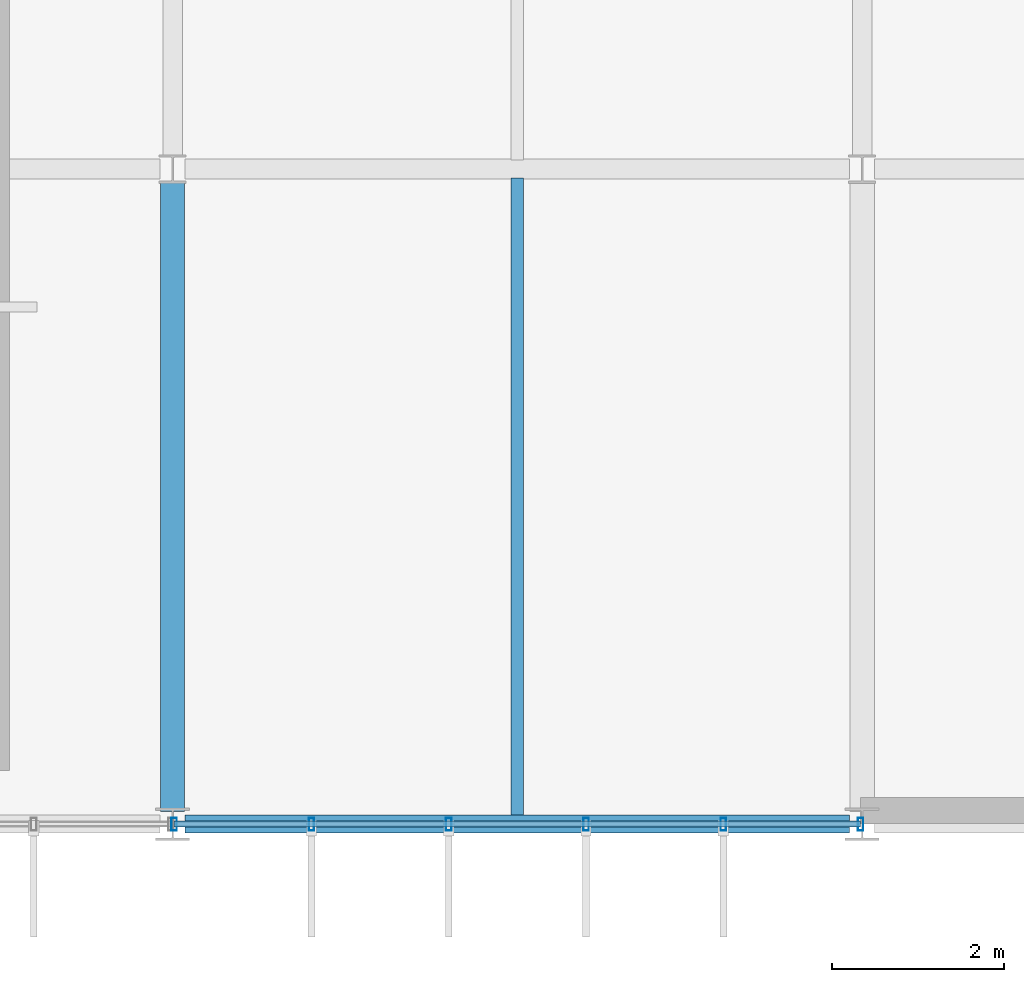
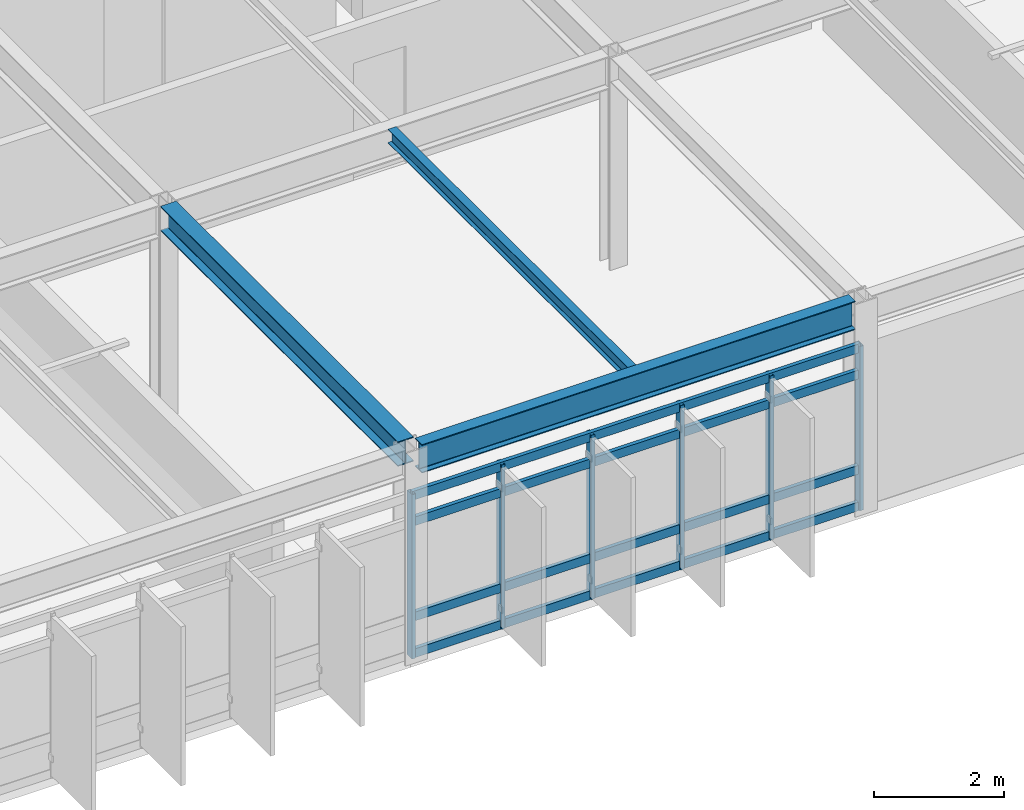
# One storey, part 27 of 85: 10 members, 3 beams, 1 element without a shape of its own.
"""IFC4 building model written with IfcOpenShell, lengths in metres."""

from ifc_helpers import new_model, si_unit, direction, frame, origin, origin_2d, place, context, subcontext, project, spatial, hollow_rectangle, i_section, extrude, material, material_profile, profile_set, type_object, element, aggregate, save


model = new_model("IFC4")

# Units and contexts
model_context = context("Model", 3, precision=1e-05, world=origin(), true_north=direction((0.0, 1.0)))
body_context = subcontext(model_context, "Body", "Model", "MODEL_VIEW")
ifc_project = project(units=[si_unit("LENGTHUNIT", "METRE"), si_unit("AREAUNIT", "SQUARE_METRE"), si_unit("VOLUMEUNIT", "CUBIC_METRE"), si_unit("PLANEANGLEUNIT", "RADIAN"), si_unit("MASSUNIT", "GRAM", prefix="KILO")], contexts=[model_context])

# Site, building, storey
site_placement = place(None, origin())
site = spatial("IfcSite", under=ifc_project, at=site_placement, CompositionType="ELEMENT")
building_placement = place(site_placement, origin())
building = spatial("IfcBuilding", under=site, at=building_placement, Name="Zulena Civic Courthouse", CompositionType="ELEMENT")
storey_placement = place(building_placement, frame((0.0, 0.0, 25.199951171875)))
storey = spatial("IfcBuildingStorey", under=building, at=storey_placement, Name="L05", CompositionType="ELEMENT", Elevation=25.199951171875)

# Curtain wall, members
ifc_material_1 = material(Name="Double-silver low-E laminated solar-control glass", Category="glass")
curtain_wall_type = type_object("IfcCurtainWallType", Name="CW_7964x3090", PredefinedType="USERDEFINED", material=ifc_material_1)
curtain_wall_placement = place(storey_placement, origin())
curtain_wall = element("IfcCurtainWall", 1, at=curtain_wall_placement, inside=storey, type_object=curtain_wall_type, Name="cw:V2:L05:3:3", ObjectType="UNITISED CURTAIN WALL", PredefinedType="USERDEFINED")
ifc_material_2 = material(Name="Bronze anodised thermally broken aluminium AA6063-T6", Category="aluminium")
ifc_material_profile_1 = material_profile(ifc_material_2, hollow_rectangle(XDim=0.06494140625, YDim=0.14990234375, WallThickness=0.00390625, at=origin_2d()), Name="CWM150X65X4")
ifc_profile_set_1 = profile_set([ifc_material_profile_1], Name="Bronze anodised thermally broken aluminium AA6063-T6")
member_type_1 = type_object("IfcMemberType", Name="CWMullion_150x65", PredefinedType="MULLION", material=ifc_profile_set_1)
member_1_placement = place(storey_placement, frame((43.98193359375, 0.0, 0.0), z_axis=(0.0, 0.0, 1.0), x_axis=(1.0, 0.0, 0.0)))
member_1 = element("IfcMember", 2, at=member_1_placement, type_object=member_type_1, Name="cw:V2:L05:3:3:mull:0", PredefinedType="MULLION", context=body_context, shape_type="SweptSolid", body=[
    extrude(hollow_rectangle(XDim=0.06494140625, YDim=0.14990234375, WallThickness=0.00390625, at=origin_2d()), origin(), (0.0, 0.0, 1.0), 3.090087890625),
])
member_2_placement = place(storey_placement, frame((42.38916015625, 0.0, 0.0), z_axis=(0.0, 0.0, 1.0), x_axis=(1.0, 0.0, 0.0)))
member_2 = element("IfcMember", 3, at=member_2_placement, type_object=member_type_1, Name="cw:V2:L05:3:3:mull:1", PredefinedType="MULLION", context=body_context, shape_type="SweptSolid", body=[
    extrude(hollow_rectangle(XDim=0.06494140625, YDim=0.14990234375, WallThickness=0.00390625, at=origin_2d()), origin(), (0.0, 0.0, 1.0), 3.090087890625),
])
member_3_placement = place(storey_placement, frame((40.79638671875, 0.0, 0.0), z_axis=(0.0, 0.0, 1.0), x_axis=(1.0, 0.0, 0.0)))
member_3 = element("IfcMember", 4, at=member_3_placement, type_object=member_type_1, Name="cw:V2:L05:3:3:mull:2", PredefinedType="MULLION", context=body_context, shape_type="SweptSolid", body=[
    extrude(hollow_rectangle(XDim=0.06494140625, YDim=0.14990234375, WallThickness=0.00390625, at=origin_2d()), origin(), (0.0, 0.0, 1.0), 3.090087890625),
])
member_4_placement = place(storey_placement, frame((39.20361328125, 0.0, 0.0), z_axis=(0.0, 0.0, 1.0), x_axis=(1.0, 0.0, 0.0)))
member_4 = element("IfcMember", 5, at=member_4_placement, type_object=member_type_1, Name="cw:V2:L05:3:3:mull:3", PredefinedType="MULLION", context=body_context, shape_type="SweptSolid", body=[
    extrude(hollow_rectangle(XDim=0.06494140625, YDim=0.14990234375, WallThickness=0.00390625, at=origin_2d()), origin(), (0.0, 0.0, 1.0), 3.090087890625),
])
member_5_placement = place(storey_placement, frame((37.61083984375, 0.0, 0.0), z_axis=(0.0, 0.0, 1.0), x_axis=(1.0, 0.0, 0.0)))
member_5 = element("IfcMember", 6, at=member_5_placement, type_object=member_type_1, Name="cw:V2:L05:3:3:mull:4", PredefinedType="MULLION", context=body_context, shape_type="SweptSolid", body=[
    extrude(hollow_rectangle(XDim=0.06494140625, YDim=0.14990234375, WallThickness=0.00390625, at=origin_2d()), origin(), (0.0, 0.0, 1.0), 3.090087890625),
])
member_6_placement = place(storey_placement, frame((36.01806640625, 0.0, 0.0), z_axis=(0.0, 0.0, 1.0), x_axis=(1.0, 0.0, 0.0)))
member_6 = element("IfcMember", 7, at=member_6_placement, type_object=member_type_1, Name="cw:V2:L05:3:3:mull:5", PredefinedType="MULLION", context=body_context, shape_type="SweptSolid", body=[
    extrude(hollow_rectangle(XDim=0.06494140625, YDim=0.14990234375, WallThickness=0.00390625, at=origin_2d()), origin(), (0.0, 0.0, 1.0), 3.090087890625),
])
ifc_material_profile_2 = material_profile(ifc_material_2, hollow_rectangle(XDim=0.070068359375, YDim=0.1650390625, WallThickness=0.00390625, at=origin_2d()), Name="CWT165X70X4")
ifc_profile_set_2 = profile_set([ifc_material_profile_2], Name="Bronze anodised thermally broken aluminium AA6063-T6")
member_type_2 = type_object("IfcMemberType", Name="CWTransom_165x70", PredefinedType="USERDEFINED", material=ifc_profile_set_2)
member_7_placement = place(storey_placement, frame((43.98193359375, 0.0, 0.06005859375), z_axis=(-1.0, 0.0, 0.0), x_axis=(0.0, -1.0, 0.0)))
member_7 = element("IfcMember", 8, at=member_7_placement, type_object=member_type_2, Name="cw:V2:L05:3:3:tran:0", ObjectType="TRANSOM", PredefinedType="USERDEFINED", context=body_context, shape_type="SweptSolid", body=[
    extrude(hollow_rectangle(XDim=0.070068359375, YDim=0.1650390625, WallThickness=0.00390625, at=origin_2d()), origin(), (0.0, 0.0, 1.0), 7.9638671875),
])
member_8_placement = place(storey_placement, frame((43.98193359375, 0.0, 0.75), z_axis=(-1.0, 0.0, 0.0), x_axis=(0.0, -1.0, 0.0)))
member_8 = element("IfcMember", 9, at=member_8_placement, type_object=member_type_2, Name="cw:V2:L05:3:3:tran:1", ObjectType="TRANSOM", PredefinedType="USERDEFINED", context=body_context, shape_type="SweptSolid", body=[
    extrude(hollow_rectangle(XDim=0.070068359375, YDim=0.1650390625, WallThickness=0.00390625, at=origin_2d()), origin(), (0.0, 0.0, 1.0), 7.9638671875),
])
member_9_placement = place(storey_placement, frame((43.98193359375, 0.0, 2.5400390625), z_axis=(-1.0, 0.0, 0.0), x_axis=(0.0, -1.0, 0.0)))
member_9 = element("IfcMember", 10, at=member_9_placement, type_object=member_type_2, Name="cw:V2:L05:3:3:tran:2", ObjectType="TRANSOM", PredefinedType="USERDEFINED", context=body_context, shape_type="SweptSolid", body=[
    extrude(hollow_rectangle(XDim=0.070068359375, YDim=0.1650390625, WallThickness=0.00390625, at=origin_2d()), origin(), (0.0, 0.0, 1.0), 7.9638671875),
])
member_10_placement = place(storey_placement, frame((43.98193359375, 0.0, 3.030029296875), z_axis=(-1.0, 0.0, 0.0), x_axis=(0.0, -1.0, 0.0)))
member_10 = element("IfcMember", 11, at=member_10_placement, type_object=member_type_2, Name="cw:V2:L05:3:3:tran:3", ObjectType="TRANSOM", PredefinedType="USERDEFINED", context=body_context, shape_type="SweptSolid", body=[
    extrude(hollow_rectangle(XDim=0.070068359375, YDim=0.1650390625, WallThickness=0.00390625, at=origin_2d()), origin(), (0.0, 0.0, 1.0), 7.9638671875),
])
aggregate(curtain_wall, [member_1, member_2, member_3, member_4, member_5, member_6, member_7, member_8, member_9, member_10])

# Beams
ifc_material_3 = material(Name="Steel ASTM A992 Grade 50", Category="steel")
ifc_material_profile_3 = material_profile(ifc_material_3, i_section(OverallWidth=0.14599609375, OverallDepth=0.258056640625, WebThickness=0.006103515625, FlangeThickness=0.009033203125, FilletRadius=0.007568359375, at=origin_2d()), Name="W10X22")
ifc_profile_set_3 = profile_set([ifc_material_profile_3], Name="Steel ASTM A992 Grade 50")
beam_type_1 = type_object("IfcBeamType", Name="Joist_W10X22", PredefinedType="JOIST", material=ifc_profile_set_3)
beam_1_placement = place(storey_placement, frame((40.0, 0.10498046875, 3.865966796875), z_axis=(0.0, 1.0, 0.0), x_axis=(-1.0, 0.0, 0.0)))
element("IfcBeam", 12, at=beam_1_placement, inside=storey, type_object=beam_type_1, Name="joist:V2:L05:40.00:0.0_7.6", PredefinedType="JOIST", context=body_context, shape_type="SweptSolid", body=[
    extrude(i_section(OverallWidth=0.14599609375, OverallDepth=0.258056640625, WebThickness=0.006103515625, FlangeThickness=0.009033203125, FilletRadius=0.007568359375, at=origin_2d()), origin(), (0.0, 0.0, 1.0), 7.39013671875),
])
ifc_material_profile_4 = material_profile(ifc_material_3, i_section(OverallWidth=0.280029296875, OverallDepth=0.462890625, WebThickness=0.0107421875, FlangeThickness=0.017333984375, FilletRadius=0.01025390625, at=origin_2d()), Name="W18X76")
ifc_profile_set_4 = profile_set([ifc_material_profile_4], Name="Steel ASTM A992 Grade 50")
beam_type_2 = type_object("IfcBeamType", Name="Spandrel_W18X76", PredefinedType="SPANDREL", material=ifc_profile_set_4)
beam_2_placement = place(storey_placement, frame((36.0, 0.14501953125, 3.763427734375), z_axis=(0.0, 1.0, 0.0), x_axis=(-1.0, 0.0, 0.0)))
element("IfcBeam", 13, at=beam_2_placement, inside=storey, type_object=beam_type_2, Name="beam:Y:V2:L05:36.0:0.0_7.6", PredefinedType="SPANDREL", context=body_context, shape_type="SweptSolid", body=[
    extrude(i_section(OverallWidth=0.280029296875, OverallDepth=0.462890625, WebThickness=0.0107421875, FlangeThickness=0.017333984375, FilletRadius=0.01025390625, at=origin_2d()), origin(), (0.0, 0.0, 1.0), 7.31005859375),
])
ifc_material_profile_5 = material_profile(ifc_material_3, i_section(OverallWidth=0.2099609375, OverallDepth=0.537109375, WebThickness=0.010986328125, FlangeThickness=0.017333984375, FilletRadius=0.0126953125, at=origin_2d()), Name="W21X68")
ifc_profile_set_5 = profile_set([ifc_material_profile_5], Name="Steel ASTM A992 Grade 50")
beam_type_3 = type_object("IfcBeamType", Name="Spandrel_W21X68", PredefinedType="SPANDREL", material=ifc_profile_set_5)
beam_3_placement = place(storey_placement, frame((36.14501953125, 0.0, 3.7265625), z_axis=(1.0, 0.0, 0.0), x_axis=(0.0, 1.0, 0.0)))
element("IfcBeam", 14, at=beam_3_placement, inside=storey, type_object=beam_type_3, Name="beam:X:V2:L05:0.0:36.0_44.0", PredefinedType="SPANDREL", context=body_context, shape_type="SweptSolid", body=[
    extrude(i_section(OverallWidth=0.2099609375, OverallDepth=0.537109375, WebThickness=0.010986328125, FlangeThickness=0.017333984375, FilletRadius=0.0126953125, at=origin_2d()), origin(), (0.0, 0.0, 1.0), 7.7099609375),
])

save(model, "model.ifc")
